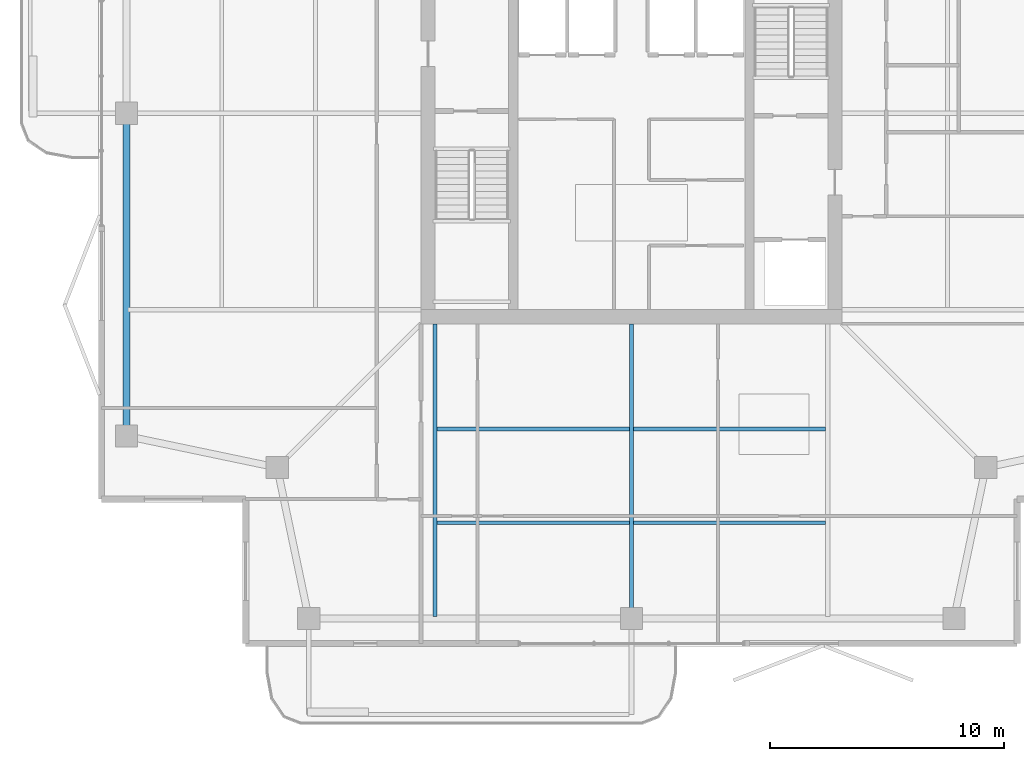
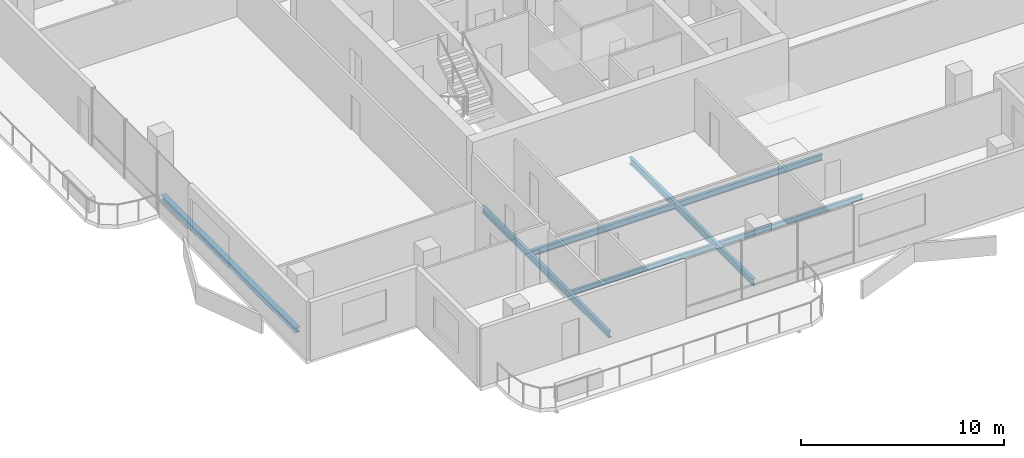
# One storey, part 4 of 17: 7 beams.
"""IFC4 building model written with IfcOpenShell, lengths in metres."""

from ifc_helpers import new_model, si_unit, direction, frame, origin, origin_2d, place, context, subcontext, project, spatial, i_section, extrude, material, material_profile, profile_set, type_object, element, save


model = new_model("IFC4")

# Units and contexts
model_context = context("Model", 3, precision=1e-05, world=origin(), true_north=direction((0.0, 1.0)))
body_context = subcontext(model_context, "Body", "Model", "MODEL_VIEW")
ifc_project = project(units=[si_unit("LENGTHUNIT", "METRE"), si_unit("AREAUNIT", "SQUARE_METRE"), si_unit("VOLUMEUNIT", "CUBIC_METRE"), si_unit("PLANEANGLEUNIT", "RADIAN"), si_unit("MASSUNIT", "GRAM", prefix="KILO")], contexts=[model_context])

# Site, building, storey
site_placement = place(None, origin())
site = spatial("IfcSite", under=ifc_project, at=site_placement, CompositionType="ELEMENT")
building_placement = place(site_placement, origin())
building = spatial("IfcBuilding", under=site, at=building_placement, Name="Belovzor Exchange Tower", CompositionType="ELEMENT")
storey_placement = place(building_placement, frame((0.0, 0.0, 325.5)))
storey = spatial("IfcBuildingStorey", under=building, at=storey_placement, Name="L81", CompositionType="ELEMENT", Elevation=325.5)

# Beams
ifc_material_1 = material(Name="Steel S355", Category="steel")
ifc_material_profile_1 = material_profile(ifc_material_1, i_section(OverallWidth=0.169921875, OverallDepth=0.360107421875, WebThickness=0.008056640625, FlangeThickness=0.0126953125, at=origin_2d()))
ifc_profile_set_1 = profile_set([ifc_material_profile_1], Name="Steel S355")
beam_type_1 = type_object("IfcBeamType", Name="Secondary Infill Floor Joist IPE 360", PredefinedType="BEAM", material=ifc_profile_set_1)
beam_1_placement = place(storey_placement, frame((20.489990234375, 15.291015625, -0.419921875), z_axis=(1.0, 0.0, 0.0), x_axis=(0.0, 1.0, 0.0)))
element("IfcBeam", 1, at=beam_1_placement, inside=storey, type_object=beam_type_1, Name="FJ-360 Secondary Infill Floor Joist IPE 360", PredefinedType="BEAM", context=body_context, shape_type="SweptSolid", body=[
    extrude(i_section(OverallWidth=0.169921875, OverallDepth=0.360107421875, WebThickness=0.008056640625, FlangeThickness=0.0126953125, at=origin_2d()), origin(), (0.0, 0.0, 1.0), 8.219970703125),
])
beam_2_placement = place(storey_placement, frame((28.889892578125, 15.291015625, -0.419921875), z_axis=(1.0, 0.0, 0.0), x_axis=(0.0, 1.0, 0.0)))
element("IfcBeam", 2, at=beam_2_placement, inside=storey, type_object=beam_type_1, Name="FJ-360 Secondary Infill Floor Joist IPE 360", PredefinedType="BEAM", context=body_context, shape_type="SweptSolid", body=[
    extrude(i_section(OverallWidth=0.169921875, OverallDepth=0.360107421875, WebThickness=0.008056640625, FlangeThickness=0.0126953125, at=origin_2d()), origin(), (0.0, 0.0, 1.0), 8.22021484375),
])
ifc_material_2 = material(Name="Steel S355", Category="steel")
ifc_material_profile_2 = material_profile(ifc_material_2, i_section(OverallWidth=0.14990234375, OverallDepth=0.300048828125, WebThickness=0.007080078125, FlangeThickness=0.0107421875, at=origin_2d()))
ifc_profile_set_2 = profile_set([ifc_material_profile_2], Name="Steel S355")
beam_type_2 = type_object("IfcBeamType", Name="Secondary Trim Floor Joist IPE 300", PredefinedType="BEAM", material=ifc_profile_set_2)
beam_3_placement = place(storey_placement, frame((20.489990234375, 11.282958984375, -0.389892578125), z_axis=(1.0, 0.0, 0.0), x_axis=(0.0, 1.0, 0.0)))
element("IfcBeam", 3, at=beam_3_placement, inside=storey, type_object=beam_type_2, Name="FJ-300 Secondary Trim Floor Joist IPE 300", PredefinedType="BEAM", context=body_context, shape_type="SweptSolid", body=[
    extrude(i_section(OverallWidth=0.14990234375, OverallDepth=0.300048828125, WebThickness=0.007080078125, FlangeThickness=0.0107421875, at=origin_2d()), origin(), (0.0, 0.0, 1.0), 8.219970703125),
])
beam_4_placement = place(storey_placement, frame((28.889892578125, 11.282958984375, -0.389892578125), z_axis=(1.0, 0.0, 0.0), x_axis=(0.0, 1.0, 0.0)))
element("IfcBeam", 4, at=beam_4_placement, inside=storey, type_object=beam_type_2, Name="FJ-300 Secondary Trim Floor Joist IPE 300", PredefinedType="BEAM", context=body_context, shape_type="SweptSolid", body=[
    extrude(i_section(OverallWidth=0.14990234375, OverallDepth=0.300048828125, WebThickness=0.007080078125, FlangeThickness=0.0107421875, at=origin_2d()), origin(), (0.0, 0.0, 1.0), 8.22021484375),
])
ifc_material_3 = material(Name="Steel S355", Category="steel")
ifc_material_profile_3 = material_profile(ifc_material_3, i_section(OverallWidth=0.179931640625, OverallDepth=0.39990234375, WebThickness=0.008544921875, FlangeThickness=0.013427734375, at=origin_2d()))
ifc_profile_set_3 = profile_set([ifc_material_profile_3], Name="Steel S355")
beam_type_3 = type_object("IfcBeamType", Name="Zone 5-6 Radial Composite Floor Beam IPE 400", PredefinedType="BEAM", material=ifc_profile_set_3)
beam_5_placement = place(storey_placement, frame((20.39990234375, 19.800048828125, -0.43994140625), z_axis=(0.0, -1.0, 0.0), x_axis=(1.0, 0.0, 0.0)))
element("IfcBeam", 5, at=beam_5_placement, inside=storey, type_object=beam_type_3, Name="FB-400 Zone 5-6 Radial Composite Floor Beam IPE 400", PredefinedType="BEAM", context=body_context, shape_type="SweptSolid", body=[
    extrude(i_section(OverallWidth=0.179931640625, OverallDepth=0.39990234375, WebThickness=0.008544921875, FlangeThickness=0.013427734375, at=origin_2d()), origin(), (0.0, 0.0, 1.0), 12.525146484375),
])
beam_6_placement = place(storey_placement, frame((28.800048828125, 19.800048828125, -0.43994140625), z_axis=(0.0, -1.0, 0.0), x_axis=(1.0, 0.0, 0.0)))
element("IfcBeam", 6, at=beam_6_placement, inside=storey, type_object=beam_type_3, Name="FB-400 Zone 5-6 Radial Composite Floor Beam IPE 400", PredefinedType="BEAM", context=body_context, shape_type="SweptSolid", body=[
    extrude(i_section(OverallWidth=0.179931640625, OverallDepth=0.39990234375, WebThickness=0.008544921875, FlangeThickness=0.013427734375, at=origin_2d()), origin(), (0.0, 0.0, 1.0), 12.18212890625),
])
ifc_material_4 = material(Name="Steel S355", Category="steel")
ifc_material_profile_4 = material_profile(ifc_material_4, i_section(OverallWidth=0.300048828125, OverallDepth=0.300048828125, WebThickness=0.008544921875, FlangeThickness=0.013916015625, at=origin_2d()))
ifc_profile_set_4 = profile_set([ifc_material_profile_4], Name="Steel S355")
beam_type_4 = type_object("IfcBeamType", Name="Zone 6 Primary Girder HEA 300", PredefinedType="BEAM", material=ifc_profile_set_4)
beam_7_placement = place(storey_placement, frame((7.199951171875, 28.5390625, -0.389892578125), z_axis=(0.0, -1.0, 0.0), x_axis=(1.0, 0.0, 0.0)))
element("IfcBeam", 7, at=beam_7_placement, inside=storey, type_object=beam_type_4, Name="FG-Z6 Zone 6 Primary Girder HEA 300", PredefinedType="BEAM", context=body_context, shape_type="SweptSolid", body=[
    extrude(i_section(OverallWidth=0.300048828125, OverallDepth=0.300048828125, WebThickness=0.008544921875, FlangeThickness=0.013916015625, at=origin_2d()), origin(), (0.0, 0.0, 1.0), 13.278076171875),
])

save(model, "model.ifc")
